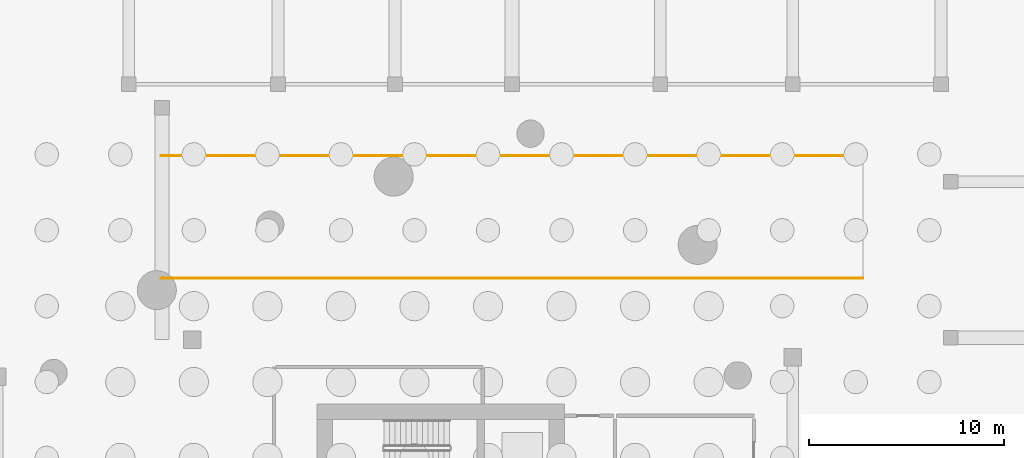
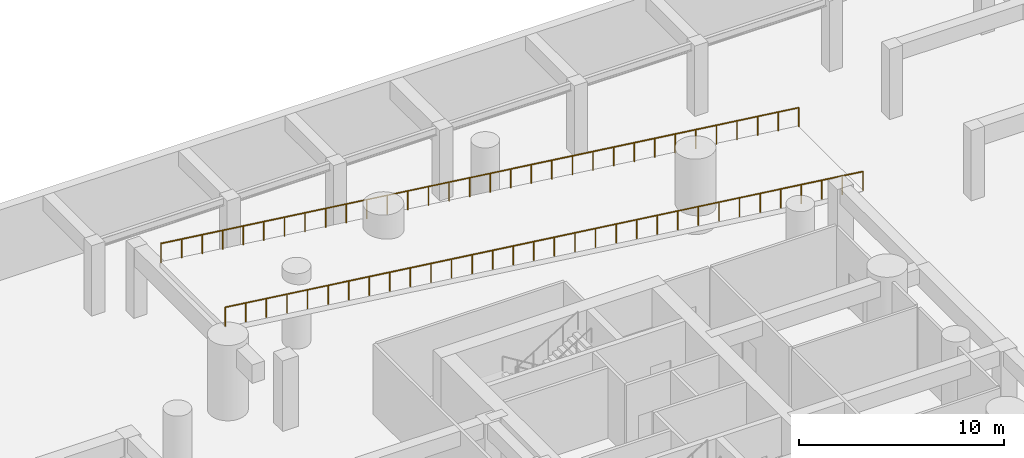
# One storey, part 10 of 11: 2 railings.
"""IFC4 building model written with IfcOpenShell, lengths in metres."""

import ifcopenshell
import ifcopenshell.guid

model = None  # the IFC model being written
_history = None  # IfcOwnerHistory: only IFC2X3 demands one
_inside = {}  # id of a spatial element -> (the spatial element, [elements in it])
_under = {}  # id of a project, library or spatial element -> (it, [spatial elements below it])
_declared = {}  # id of a project -> (the project, [libraries it declares])
_typed = {}  # id of a type object -> (the type object, [elements of that type])
_made_of = {}  # id of a material, layer set ... -> (it, [elements and type objects made of it])


def new_model(schema):
    """Start an empty IFC model of exactly this schema.

    Asked for "IFC4X3", IfcOpenShell would pick the latest addendum, in which some entities
    have other attributes; the version numbers below select the first issue.
    IFC2X3 requires an IfcOwnerHistory on every rooted entity: one is made here for all.
    """
    global model, _history
    if schema == "IFC4X3":
        model = ifcopenshell.file(schema_version=(4, 3, 0, 0))
    else:
        model = ifcopenshell.file(schema=schema)
    _inside.clear()
    _under.clear()
    _declared.clear()
    _typed.clear()
    _made_of.clear()
    _history = None
    if model.schema == "IFC2X3":
        org = make("IfcOrganization", Name="unknown")
        user = make(
            "IfcPersonAndOrganization",
            ThePerson=make("IfcPerson", FamilyName="unknown"),
            TheOrganization=org,
        )
        app = make(
            "IfcApplication",
            ApplicationDeveloper=org,
            Version="unknown",
            ApplicationFullName="unknown",
            ApplicationIdentifier="unknown",
        )
        _history = make(
            "IfcOwnerHistory",
            OwningUser=user,
            OwningApplication=app,
            ChangeAction="ADDED",
            CreationDate=0,
        )
    return model


def make(cls, **values):
    """One entity of the class cls with the attributes given. An attribute that is None is left unset."""
    return model.create_entity(
        cls, **{name: value for name, value in values.items() if value is not None}
    )


def rooted(cls, **values):
    """An entity with a GlobalId (a new one), such as an element, a storey or a relation."""
    return make(cls, GlobalId=ifcopenshell.guid.new(), OwnerHistory=_history, **values)


def si_unit(unit_type, name, prefix=None):
    """IfcSIUnit, for example si_unit("LENGTHUNIT", "METRE", prefix="MILLI")."""
    return make("IfcSIUnit", UnitType=unit_type, Prefix=prefix, Name=name)


def assignment(units):
    """IfcUnitAssignment: the units of a project."""
    return None if units is None else make("IfcUnitAssignment", Units=units)


def point(xyz):
    """IfcCartesianPoint."""
    return None if xyz is None else make("IfcCartesianPoint", Coordinates=xyz)


def direction(xyz):
    """IfcDirection."""
    return None if xyz is None else make("IfcDirection", DirectionRatios=xyz)


def frame(location, z_axis=None, x_axis=None):
    """IfcAxis2Placement3D, a coordinate frame: its origin and axes. An axis left out is left unset."""
    return make(
        "IfcAxis2Placement3D",
        Location=point(location),
        Axis=direction(z_axis),
        RefDirection=direction(x_axis),
    )


def frame_2d(location, x_axis=None):
    """IfcAxis2Placement2D, a coordinate frame in the plane: its origin and x axis."""
    return make(
        "IfcAxis2Placement2D", Location=point(location), RefDirection=direction(x_axis)
    )


def origin():
    """The frame at (0, 0, 0) with its axes left unset."""
    return frame((0.0, 0.0, 0.0))


def origin_2d():
    """The frame at (0, 0) in the plane with its x axis left unset."""
    return frame_2d((0.0, 0.0))


def place(relative_to, where):
    """IfcLocalPlacement: puts the frame where relative to a parent placement (None: the world)."""
    return make(
        "IfcLocalPlacement", PlacementRelTo=relative_to, RelativePlacement=where
    )


def context(
    kind, dimensions, precision=None, world=None, true_north=None, identifier=None
):
    """IfcGeometricRepresentationContext, for example the 3D "Model" context."""
    return make(
        "IfcGeometricRepresentationContext",
        ContextIdentifier=identifier,
        ContextType=kind,
        CoordinateSpaceDimension=dimensions,
        Precision=precision,
        WorldCoordinateSystem=world,
        TrueNorth=true_north,
    )


def subcontext(parent, identifier, kind, view, scale=None):
    """IfcGeometricRepresentationSubContext, for example "Body" below "Model"."""
    return make(
        "IfcGeometricRepresentationSubContext",
        ContextIdentifier=identifier,
        ContextType=kind,
        ParentContext=parent,
        TargetScale=scale,
        TargetView=view,
    )


def project(units=None, contexts=None):
    """IfcProject with its units and contexts."""
    return rooted(
        "IfcProject",
        Name="project",
        RepresentationContexts=contexts,
        UnitsInContext=assignment(units),
    )


def spatial(cls, under=None, at=None, **own):
    """A site, building, storey or space (cls), placed at a placement, below another one or the project."""
    s = rooted(cls, ObjectPlacement=at, **own)
    if under is not None:
        _under.setdefault(under.id(), (under, []))[1].append(s)
    return s


def profile(cls, at=None, kind="AREA", **sizes):
    """A parametric profile (cls). Its sizes go by their IFC names, for example OverallWidth=200.0."""
    return make(cls, ProfileType=kind, Position=at, **sizes)


def circle(**sizes):
    """IfcCircleProfileDef."""
    return profile("IfcCircleProfileDef", **sizes)


def extrude(swept, where, along, depth):
    """IfcExtrudedAreaSolid: the profile swept, set in the frame where, extruded along a direction by depth."""
    return make(
        "IfcExtrudedAreaSolid",
        SweptArea=swept,
        Position=where,
        ExtrudedDirection=direction(along),
        Depth=depth,
    )


def shape(context_of_items, identifier, shape_type, items):
    """IfcShapeRepresentation: the items that make up one representation, for example the "Body"."""
    return make(
        "IfcShapeRepresentation",
        ContextOfItems=context_of_items,
        RepresentationIdentifier=identifier,
        RepresentationType=shape_type,
        Items=items,
    )


def source(mapping_origin, context_of_items, identifier, shape_type, items):
    """IfcRepresentationMap: a shape defined once, which mapped items show again and again."""
    return make(
        "IfcRepresentationMap",
        MappingOrigin=mapping_origin,
        MappedRepresentation=shape(context_of_items, identifier, shape_type, items),
    )


def transform(
    local_origin,
    x_axis=None,
    y_axis=None,
    z_axis=None,
    scale=None,
    scale2=None,
    scale3=None,
    uniform=True,
):
    """IfcCartesianTransformationOperator3D, or its non-uniform kind. x_axis, y_axis, z_axis: its Axis1, 2, 3."""
    if uniform:
        return make(
            "IfcCartesianTransformationOperator3D",
            Axis1=direction(x_axis),
            Axis2=direction(y_axis),
            LocalOrigin=point(local_origin),
            Scale=scale,
            Axis3=direction(z_axis),
        )
    return make(
        "IfcCartesianTransformationOperator3DnonUniform",
        Axis1=direction(x_axis),
        Axis2=direction(y_axis),
        LocalOrigin=point(local_origin),
        Scale=scale,
        Axis3=direction(z_axis),
        Scale2=scale2,
        Scale3=scale3,
    )


def mapped(mapping_source, mapping_target):
    """IfcMappedItem: shows the shape of a source again, moved by a transform."""
    return make(
        "IfcMappedItem", MappingSource=mapping_source, MappingTarget=mapping_target
    )


def material(Name=None, Category=None):
    """IfcMaterial."""
    return make("IfcMaterial", Name=Name, Category=Category)


def made_of(thing, what):
    """Note that an element or type object is made of a material, layer set ...; save() writes the relation."""
    if what is not None:
        _made_of.setdefault(what.id(), (what, []))[1].append(thing)
    return thing


def type_object(cls, material=None, **own):
    """A type object (cls), such as IfcWallType, which elements share."""
    return made_of(rooted(cls, **own), material)


def element(
    cls,
    number,
    at=None,
    inside=None,
    cuts=None,
    type_object=None,
    material=None,
    context=None,
    identifier="Body",
    shape_type=None,
    held_by="IfcProductDefinitionShape",
    body=None,
    shapes=None,
    **own,
):
    """One element of the class cls, such as IfcWall. Its Tag is "e" and its number.

    at: its placement. inside: the storey or other place that contains it. cuts: it is an
    opening in that element (IfcRelVoidsElement). A single representation is given by context,
    identifier, shape_type and body (its items); several are given by shapes. held_by: the class
    of the entity that holds the representations. save() writes the other relations.
    """
    e = rooted(cls, Tag="e%d" % number, ObjectPlacement=at, **own)
    if body is not None:
        shapes = [shape(context, identifier, shape_type, body)]
    if shapes is not None:
        e.Representation = make(held_by, Representations=shapes)
    if inside is not None:
        _inside.setdefault(inside.id(), (inside, []))[1].append(e)
    if cuts is not None:
        rooted(
            "IfcRelVoidsElement", RelatingBuildingElement=cuts, RelatedOpeningElement=e
        )
    if type_object is not None:
        _typed.setdefault(type_object.id(), (type_object, []))[1].append(e)
    return made_of(e, material)


def aggregate(whole, parts):
    """IfcRelAggregates: a whole, such as a stair, and the parts it consists of."""
    return rooted("IfcRelAggregates", RelatingObject=whole, RelatedObjects=parts)


def save(model, path):
    """Write the relations noted so far, then the file.

    IfcRelAggregates (storeys below a building ...), IfcRelContainedInSpatialStructure (elements
    in a storey), IfcRelDefinesByType, IfcRelAssociatesMaterial and IfcRelDeclares: one each for
    every whole, place, type object, material and project.
    """
    for whole, parts in _under.values():
        aggregate(whole, parts)
    for where, things in _inside.values():
        rooted(
            "IfcRelContainedInSpatialStructure",
            RelatedElements=things,
            RelatingStructure=where,
        )
    for kind, things in _typed.values():
        rooted("IfcRelDefinesByType", RelatedObjects=things, RelatingType=kind)
    for what, things in _made_of.values():
        rooted("IfcRelAssociatesMaterial", RelatedObjects=things, RelatingMaterial=what)
    for by, libraries in _declared.values():
        rooted("IfcRelDeclares", RelatingContext=by, RelatedDefinitions=libraries)
    model.write(path)


model = new_model("IFC4")

# Units and contexts
model_context = context("Model", 3, precision=1e-05, world=origin(), true_north=direction((0.0, 1.0)))
body_context = subcontext(model_context, "Body", "Model", "MODEL_VIEW")
ifc_project = project(units=[si_unit("LENGTHUNIT", "METRE"), si_unit("AREAUNIT", "SQUARE_METRE"), si_unit("VOLUMEUNIT", "CUBIC_METRE"), si_unit("PLANEANGLEUNIT", "RADIAN"), si_unit("MASSUNIT", "GRAM", prefix="KILO")], contexts=[model_context])

# Site, building, storey
site_placement = place(None, origin())
site = spatial("IfcSite", under=ifc_project, at=site_placement, CompositionType="ELEMENT")
building_placement = place(site_placement, origin())
building = spatial("IfcBuilding", under=site, at=building_placement, Name="Qafzar Sky-Pleat Residences", CompositionType="ELEMENT")
storey_placement = place(building_placement, frame((0.0, 0.0, -8.699951171875)))
storey = spatial("IfcBuildingStorey", under=building, at=storey_placement, Name="B02", CompositionType="ELEMENT", Elevation=-8.699951171875)

# Railings
ifc_material = material(Name="Galvanised and bronze-coated Steel S355 guardrail", Category="steel")
railing_type = type_object("IfcRailingType", Name="RAIL-EXT-1150", PredefinedType="GUARDRAIL", material=ifc_material)
shared_shape = source(origin(), body_context, "Body", "SweptSolid", [
    extrude(circle(Radius=0.02392578125, at=origin_2d()), frame((0.0, 0.0, 1.1259765625), z_axis=(-0.992277876714, 0.0, 0.124034734589), x_axis=(0.0, -1.0, 0.0)), (0.0, 0.0, 1.0), 36.2802734375),
    extrude(circle(Radius=0.02099609375, at=origin_2d()), origin(), (0.0, 0.0, 1.0), 1.101806640625),
    extrude(circle(Radius=0.02099609375, at=origin_2d()), frame((-1.161376953125, 0.0, 0.145263671875)), (0.0, 0.0, 1.0), 1.101806640625),
    extrude(circle(Radius=0.02099609375, at=origin_2d()), frame((-2.322509765625, 0.0, 0.290283203125)), (0.0, 0.0, 1.0), 1.101806640625),
    extrude(circle(Radius=0.02099609375, at=origin_2d()), frame((-3.48388671875, 0.0, 0.435546875)), (0.0, 0.0, 1.0), 1.101806640625),
    extrude(circle(Radius=0.02099609375, at=origin_2d()), frame((-4.645263671875, 0.0, 0.58056640625)), (0.0, 0.0, 1.0), 1.101806640625),
    extrude(circle(Radius=0.02099609375, at=origin_2d()), frame((-5.806396484375, 0.0, 0.725830078125)), (0.0, 0.0, 1.0), 1.101806640625),
    extrude(circle(Radius=0.02099609375, at=origin_2d()), frame((-6.9677734375, 0.0, 0.870849609375)), (0.0, 0.0, 1.0), 1.101806640625),
    extrude(circle(Radius=0.02099609375, at=origin_2d()), frame((-8.129150390625, 0.0, 1.01611328125)), (0.0, 0.0, 1.0), 1.101806640625),
    extrude(circle(Radius=0.02099609375, at=origin_2d()), frame((-9.290283203125, 0.0, 1.161376953125)), (0.0, 0.0, 1.0), 1.101806640625),
    extrude(circle(Radius=0.02099609375, at=origin_2d()), frame((-10.45166015625, 0.0, 1.306396484375)), (0.0, 0.0, 1.0), 1.101806640625),
    extrude(circle(Radius=0.02099609375, at=origin_2d()), frame((-11.61279296875, 0.0, 1.45166015625)), (0.0, 0.0, 1.0), 1.101806640625),
    extrude(circle(Radius=0.02099609375, at=origin_2d()), frame((-12.774169921875, 0.0, 1.5966796875)), (0.0, 0.0, 1.0), 1.101806640625),
    extrude(circle(Radius=0.02099609375, at=origin_2d()), frame((-13.935546875, 0.0, 1.741943359375)), (0.0, 0.0, 1.0), 1.101806640625),
    extrude(circle(Radius=0.02099609375, at=origin_2d()), frame((-15.0966796875, 0.0, 1.88720703125)), (0.0, 0.0, 1.0), 1.101806640625),
    extrude(circle(Radius=0.02099609375, at=origin_2d()), frame((-16.258056640625, 0.0, 2.0322265625)), (0.0, 0.0, 1.0), 1.101806640625),
    extrude(circle(Radius=0.02099609375, at=origin_2d()), frame((-17.41943359375, 0.0, 2.177490234375)), (0.0, 0.0, 1.0), 1.101806640625),
    extrude(circle(Radius=0.02099609375, at=origin_2d()), frame((-18.58056640625, 0.0, 2.322509765625)), (0.0, 0.0, 1.0), 1.101806640625),
    extrude(circle(Radius=0.02099609375, at=origin_2d()), frame((-19.741943359375, 0.0, 2.4677734375)), (0.0, 0.0, 1.0), 1.101806640625),
    extrude(circle(Radius=0.02099609375, at=origin_2d()), frame((-20.9033203125, 0.0, 2.61279296875)), (0.0, 0.0, 1.0), 1.101806640625),
    extrude(circle(Radius=0.02099609375, at=origin_2d()), frame((-22.064453125, 0.0, 2.758056640625)), (0.0, 0.0, 1.0), 1.101806640625),
    extrude(circle(Radius=0.02099609375, at=origin_2d()), frame((-23.225830078125, 0.0, 2.9033203125)), (0.0, 0.0, 1.0), 1.101806640625),
    extrude(circle(Radius=0.02099609375, at=origin_2d()), frame((-24.38720703125, 0.0, 3.04833984375)), (0.0, 0.0, 1.0), 1.101806640625),
    extrude(circle(Radius=0.02099609375, at=origin_2d()), frame((-25.54833984375, 0.0, 3.193603515625)), (0.0, 0.0, 1.0), 1.101806640625),
    extrude(circle(Radius=0.02099609375, at=origin_2d()), frame((-26.709716796875, 0.0, 3.338623046875)), (0.0, 0.0, 1.0), 1.101806640625),
    extrude(circle(Radius=0.02099609375, at=origin_2d()), frame((-27.870849609375, 0.0, 3.48388671875)), (0.0, 0.0, 1.0), 1.101806640625),
    extrude(circle(Radius=0.02099609375, at=origin_2d()), frame((-29.0322265625, 0.0, 3.629150390625)), (0.0, 0.0, 1.0), 1.101806640625),
    extrude(circle(Radius=0.02099609375, at=origin_2d()), frame((-30.193603515625, 0.0, 3.774169921875)), (0.0, 0.0, 1.0), 1.101806640625),
    extrude(circle(Radius=0.02099609375, at=origin_2d()), frame((-31.354736328125, 0.0, 3.91943359375)), (0.0, 0.0, 1.0), 1.101806640625),
    extrude(circle(Radius=0.02099609375, at=origin_2d()), frame((-32.51611328125, 0.0, 4.064453125)), (0.0, 0.0, 1.0), 1.101806640625),
    extrude(circle(Radius=0.02099609375, at=origin_2d()), frame((-33.677490234375, 0.0, 4.209716796875)), (0.0, 0.0, 1.0), 1.101806640625),
    extrude(circle(Radius=0.02099609375, at=origin_2d()), frame((-34.838623046875, 0.0, 4.354736328125)), (0.0, 0.0, 1.0), 1.101806640625),
    extrude(circle(Radius=0.02099609375, at=origin_2d()), frame((-36.0, 0.0, 4.5)), (0.0, 0.0, 1.0), 1.101806640625),
])
for number, where, name in (
    (1, (52.0, 41.06005859375, 0.0), "B02 Vehicle Ramp Edge Guardrail S"),
    (2, (52.0, 47.340087890625, 0.0), "B02 Vehicle Ramp Edge Guardrail N"),
):
    element("IfcRailing", number, at=place(storey_placement, frame(where)), inside=storey, type_object=railing_type, Name=name, PredefinedType="GUARDRAIL", context=body_context, shape_type="MappedRepresentation", body=[
        mapped(shared_shape, transform((0.0, 0.0, 0.0), x_axis=(1.0, 0.0, 0.0), y_axis=(0.0, 1.0, 0.0), z_axis=(0.0, 0.0, 1.0), scale=1.0)),
    ])

save(model, "model.ifc")
